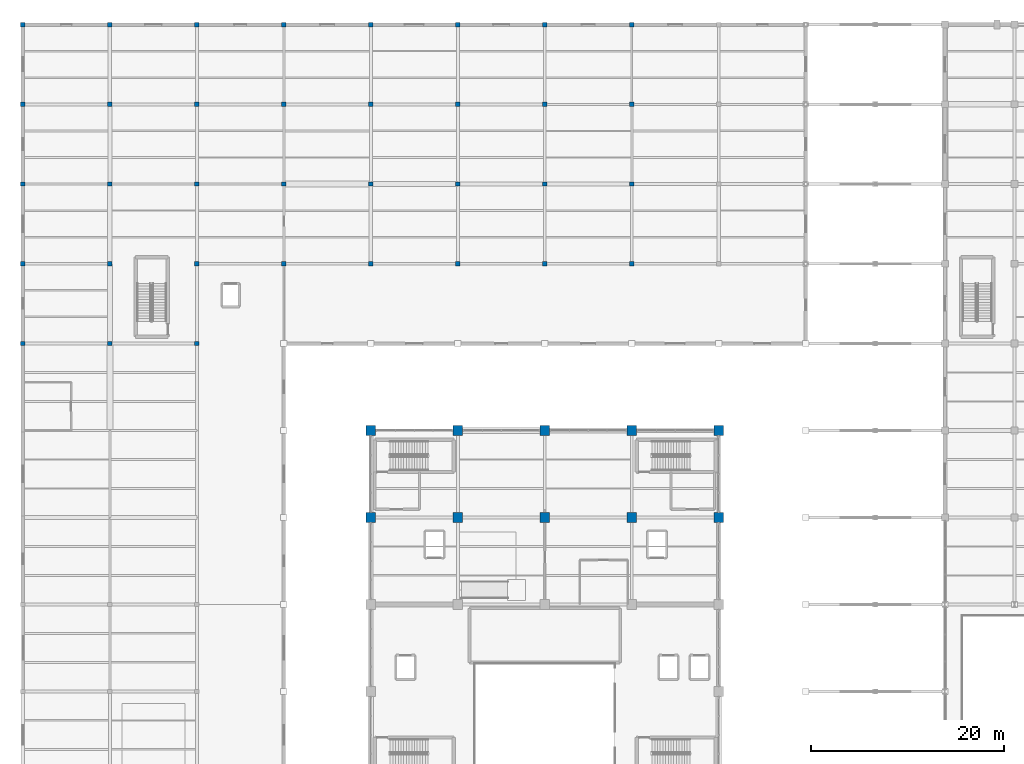
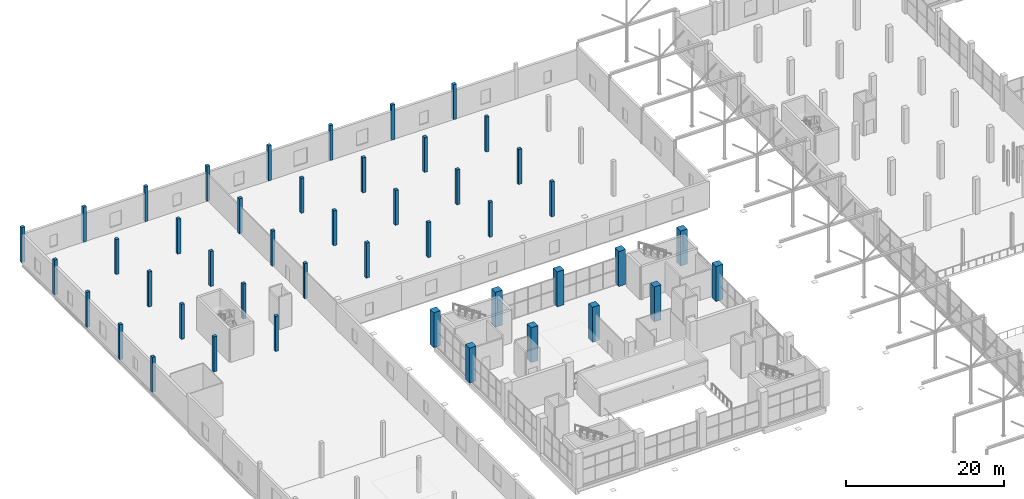
# One storey, part 5 of 147: 45 columns.
"""IFC4 building model written with IfcOpenShell, lengths in metres."""

from ifc_helpers import new_model, si_unit, direction, frame, origin, origin_2d, place, context, subcontext, project, spatial, rectangle, extrude, material, material_profile, profile_set, type_object, element, save


model = new_model("IFC4")

# Units and contexts
model_context = context("Model", 3, precision=1e-05, world=origin(), true_north=direction((0.0, 1.0)))
body_context = subcontext(model_context, "Body", "Model", "MODEL_VIEW")
ifc_project = project(units=[si_unit("LENGTHUNIT", "METRE"), si_unit("AREAUNIT", "SQUARE_METRE"), si_unit("VOLUMEUNIT", "CUBIC_METRE"), si_unit("PLANEANGLEUNIT", "RADIAN"), si_unit("MASSUNIT", "GRAM", prefix="KILO")], contexts=[model_context])

# Site, building, storey
site_placement = place(None, origin())
site = spatial("IfcSite", under=ifc_project, at=site_placement, CompositionType="ELEMENT")
building_placement = place(site_placement, origin())
building = spatial("IfcBuilding", under=site, at=building_placement, Name="Sundgate Opera House", CompositionType="ELEMENT")
storey_placement = place(building_placement, frame((0.0, 0.0, 6.0)))
storey = spatial("IfcBuildingStorey", under=building, at=storey_placement, Name="L01", CompositionType="ELEMENT", Elevation=6.0)

# Columns
ifc_material_1 = material(Name="Concrete C45/55", Category="concrete")
ifc_material_profile_1 = material_profile(ifc_material_1, rectangle(XDim=1.0, YDim=1.0, at=origin_2d()), Name="RC 1000x1000")
ifc_profile_set_1 = profile_set([ifc_material_profile_1], Name="Concrete C45/55")
column_type_1 = type_object("IfcColumnType", Name="CL-RC-1000", PredefinedType="COLUMN", material=ifc_profile_set_1)
for number, where, z_axis, x_axis, name in (
    (1, (36.0, 69.0, 0.0), (0.0, 0.0, 1.0), (1.0, 0.0, 0.0), "L01 Column C0242"),
    (2, (36.0, 78.0, 0.0), (0.0, 0.0, 1.0), (1.0, 0.0, 0.0), "L01 Column C0250"),
    (3, (45.0, 69.0, 0.0), (0.0, 0.0, 1.0), (1.0, 0.0, 0.0), "L01 Column C0302"),
    (4, (45.0, 78.0, 0.0), (0.0, 0.0, 1.0), (1.0, 0.0, 0.0), "L01 Column C0310"),
    (5, (54.0, 69.0, 0.0), (0.0, 0.0, 1.0), (1.0, 0.0, 0.0), "L01 Column C0362"),
    (6, (54.0, 78.0, 0.0), (0.0, 0.0, 1.0), (1.0, 0.0, 0.0), "L01 Column C0365"),
    (7, (63.0, 69.0, 0.0), (0.0, 0.0, 1.0), (1.0, 0.0, 0.0), "L01 Column C0418"),
    (8, (63.0, 78.0, 0.0), (0.0, 0.0, 1.0), (1.0, 0.0, 0.0), "L01 Column C0426"),
    (9, (72.0, 69.0, 0.0), (0.0, 0.0, 1.0), (1.0, 0.0, 0.0), "L01 Column C0485"),
    (10, (72.0, 78.0, 0.0), (0.0, 0.0, 1.0), (1.0, 0.0, 0.0), "L01 Column C0493"),
):
    element("IfcColumn", number, at=place(storey_placement, frame(where, z_axis=z_axis, x_axis=x_axis)), inside=storey, type_object=column_type_1, Name=name, PredefinedType="COLUMN", context=body_context, shape_type="SweptSolid", body=[
        extrude(rectangle(XDim=1.0, YDim=1.0, at=origin_2d()), origin(), (0.0, 0.0, 1.0), 5.39990234375),
    ])
ifc_material_2 = material(Name="Concrete C35/45", Category="concrete")
ifc_material_profile_2 = material_profile(ifc_material_2, rectangle(XDim=0.449951171875, YDim=0.449951171875, at=origin_2d()), Name="RC 450x450")
ifc_profile_set_2 = profile_set([ifc_material_profile_2], Name="Concrete C35/45")
column_type_2 = type_object("IfcColumnType", Name="CL-RC-450", PredefinedType="COLUMN", material=ifc_profile_set_2)
for number, where, z_axis, x_axis, name in (
    (11, (0.0, 87.0, 0.0), (0.0, 0.0, 1.0), (1.0, 0.0, 0.0), "L01 Column C0031"),
    (12, (0.0, 95.25, 0.0), (0.0, 0.0, 1.0), (1.0, 0.0, 0.0), "L01 Column C0035"),
    (13, (0.0, 103.5, 0.0), (0.0, 0.0, 1.0), (1.0, 0.0, 0.0), "L01 Column C0039"),
    (14, (0.0, 111.75, 0.0), (0.0, 0.0, 1.0), (1.0, 0.0, 0.0), "L01 Column C0043"),
    (15, (0.0, 120.0, 0.0), (0.0, 0.0, 1.0), (1.0, 0.0, 0.0), "L01 Column C0047"),
    (16, (9.0, 87.0, 0.0), (0.0, 0.0, 1.0), (1.0, 0.0, 0.0), "L01 Column C0079"),
    (17, (9.0, 95.25, 0.0), (0.0, 0.0, 1.0), (1.0, 0.0, 0.0), "L01 Column C0084"),
    (18, (9.0, 103.5, 0.0), (0.0, 0.0, 1.0), (1.0, 0.0, 0.0), "L01 Column C0089"),
    (19, (9.0, 111.75, 0.0), (0.0, 0.0, 1.0), (1.0, 0.0, 0.0), "L01 Column C0094"),
    (20, (9.0, 120.0, 0.0), (0.0, 0.0, 1.0), (1.0, 0.0, 0.0), "L01 Column C0099"),
    (21, (18.0, 87.0, 0.0), (0.0, 0.0, 1.0), (1.0, 0.0, 0.0), "L01 Column C0128"),
    (22, (18.0, 95.25, 0.0), (0.0, 0.0, 1.0), (1.0, 0.0, 0.0), "L01 Column C0133"),
    (23, (18.0, 103.5, 0.0), (0.0, 0.0, 1.0), (1.0, 0.0, 0.0), "L01 Column C0138"),
    (24, (18.0, 111.75, 0.0), (0.0, 0.0, 1.0), (1.0, 0.0, 0.0), "L01 Column C0143"),
    (25, (18.0, 120.0, 0.0), (0.0, 0.0, 1.0), (1.0, 0.0, 0.0), "L01 Column C0148"),
    (26, (27.0, 95.25, 0.0), (0.0, 0.0, 1.0), (1.0, 0.0, 0.0), "L01 Column C0199"),
    (27, (27.0, 103.5, 0.0), (0.0, 0.0, 1.0), (1.0, 0.0, 0.0), "L01 Column C0204"),
    (28, (27.0, 111.75, 0.0), (0.0, 0.0, 1.0), (1.0, 0.0, 0.0), "L01 Column C0209"),
    (29, (27.0, 120.0, 0.0), (0.0, 0.0, 1.0), (1.0, 0.0, 0.0), "L01 Column C0214"),
    (30, (36.0, 95.25, 0.0), (0.0, 0.0, 1.0), (1.0, 0.0, 0.0), "L01 Column C0264"),
    (31, (36.0, 103.5, 0.0), (0.0, 0.0, 1.0), (1.0, 0.0, 0.0), "L01 Column C0269"),
    (32, (36.0, 111.75, 0.0), (0.0, 0.0, 1.0), (1.0, 0.0, 0.0), "L01 Column C0274"),
    (33, (36.0, 120.0, 0.0), (0.0, 0.0, 1.0), (1.0, 0.0, 0.0), "L01 Column C0279"),
    (34, (45.0, 95.25, 0.0), (0.0, 0.0, 1.0), (1.0, 0.0, 0.0), "L01 Column C0324"),
    (35, (45.0, 103.5, 0.0), (0.0, 0.0, 1.0), (1.0, 0.0, 0.0), "L01 Column C0329"),
    (36, (45.0, 111.75, 0.0), (0.0, 0.0, 1.0), (1.0, 0.0, 0.0), "L01 Column C0334"),
    (37, (45.0, 120.0, 0.0), (0.0, 0.0, 1.0), (1.0, 0.0, 0.0), "L01 Column C0339"),
    (38, (54.0, 95.25, 0.0), (0.0, 0.0, 1.0), (1.0, 0.0, 0.0), "L01 Column C0379"),
    (39, (54.0, 103.5, 0.0), (0.0, 0.0, 1.0), (1.0, 0.0, 0.0), "L01 Column C0384"),
    (40, (54.0, 111.75, 0.0), (0.0, 0.0, 1.0), (1.0, 0.0, 0.0), "L01 Column C0389"),
    (41, (54.0, 120.0, 0.0), (0.0, 0.0, 1.0), (1.0, 0.0, 0.0), "L01 Column C0394"),
    (42, (63.0, 95.25, 0.0), (0.0, 0.0, 1.0), (1.0, 0.0, 0.0), "L01 Column C0440"),
    (43, (63.0, 103.5, 0.0), (0.0, 0.0, 1.0), (1.0, 0.0, 0.0), "L01 Column C0445"),
    (44, (63.0, 111.75, 0.0), (0.0, 0.0, 1.0), (1.0, 0.0, 0.0), "L01 Column C0450"),
    (45, (63.0, 120.0, 0.0), (0.0, 0.0, 1.0), (1.0, 0.0, 0.0), "L01 Column C0455"),
):
    element("IfcColumn", number, at=place(storey_placement, frame(where, z_axis=z_axis, x_axis=x_axis)), inside=storey, type_object=column_type_2, Name=name, PredefinedType="COLUMN", context=body_context, shape_type="SweptSolid", body=[
        extrude(rectangle(XDim=0.449951171875, YDim=0.449951171875, at=origin_2d()), origin(), (0.0, 0.0, 1.0), 5.39990234375),
    ])

save(model, "model.ifc")
